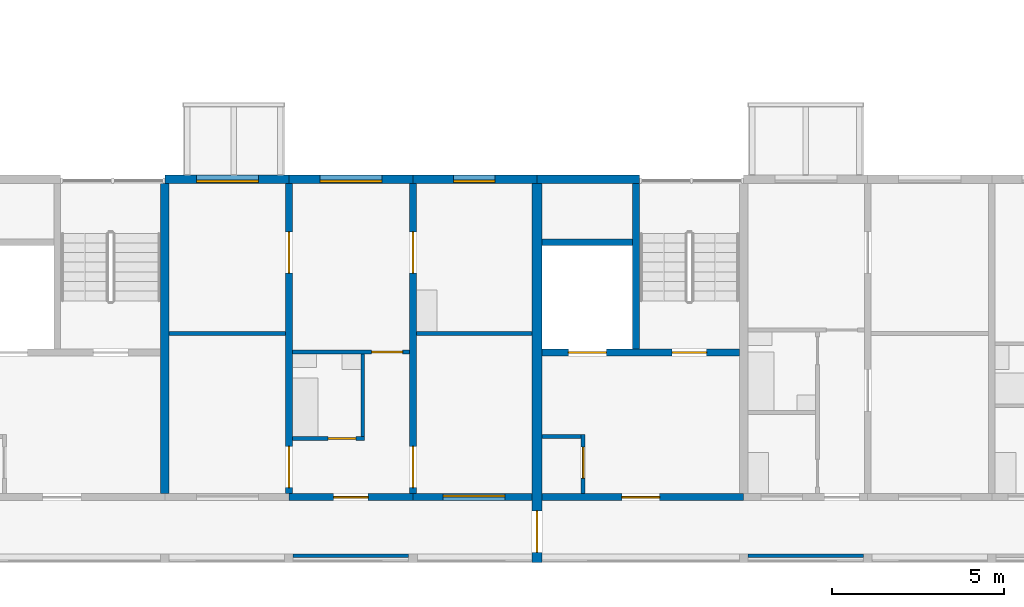
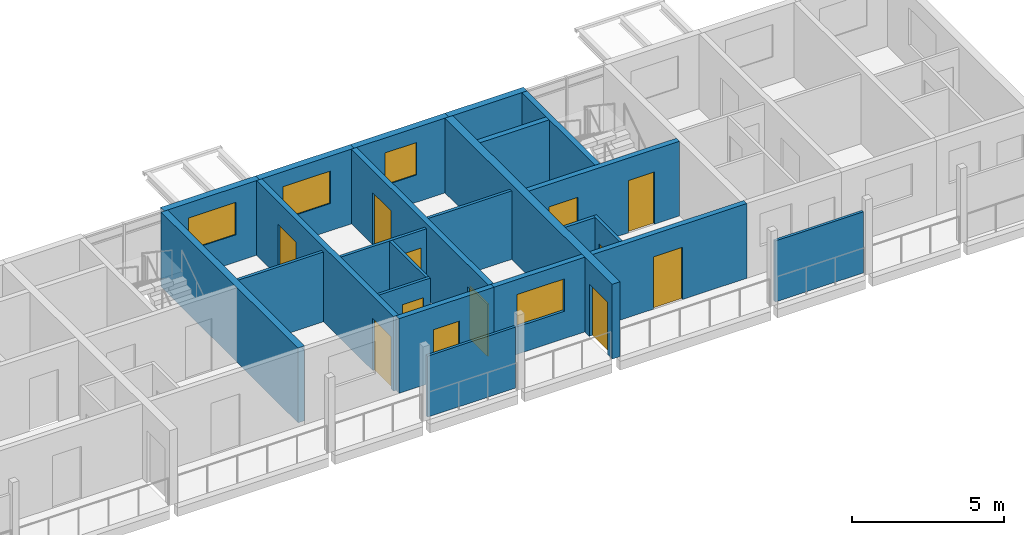
# One storey, part 37 of 64: 23 walls, 12 doors, 4 windows, 16 openings.
"""IFC4 building model written with IfcOpenShell, lengths in metres."""

from ifc_helpers import new_model, si_unit, direction, frame, frame_2d, origin, place, context, subcontext, project, spatial, rectangle, extrude, material, layer, layer_set, type_object, element, fill, save


model = new_model("IFC4")

# Units and contexts
model_context = context("Model", 3, precision=1e-05, world=origin(), true_north=direction((0.0, 1.0)))
body_context = subcontext(model_context, "Body", "Model", "MODEL_VIEW")
ifc_project = project(units=[si_unit("LENGTHUNIT", "METRE"), si_unit("AREAUNIT", "SQUARE_METRE"), si_unit("VOLUMEUNIT", "CUBIC_METRE"), si_unit("PLANEANGLEUNIT", "RADIAN"), si_unit("MASSUNIT", "GRAM", prefix="KILO")], contexts=[model_context])

# Site, building, storey
site_placement = place(None, origin())
site = spatial("IfcSite", under=ifc_project, at=site_placement, CompositionType="ELEMENT")
building_placement = place(site_placement, origin())
building = spatial("IfcBuilding", under=site, at=building_placement, Name="Ridgestep Commons", CompositionType="ELEMENT")
storey_placement = place(building_placement, frame((0.0, 0.0, 33.0)))
storey = spatial("IfcBuildingStorey", under=building, at=storey_placement, Name="L11", CompositionType="ELEMENT", Elevation=33.0)

# Wall
ifc_material_1 = material(Name="Concrete C30/37", Category="concrete")
ifc_layer_1 = layer(ifc_material_1, 0.25)
ifc_layer_set_1 = layer_set([ifc_layer_1], Name="Core cross wall 250")
wall_type_1 = type_object("IfcWallType", Name="Core cross wall 250", PredefinedType="SHEAR", material=ifc_layer_set_1)
wall_1_placement = place(storey_placement, frame((220.0, 13.75, 0.0), z_axis=(0.0, 0.0, 1.0), x_axis=(0.0, 1.0, 0.0)))
element("IfcWall", 1, at=wall_1_placement, inside=storey, type_object=wall_type_1, Name="Cross wall D-11-2200", PredefinedType="SHEAR", context=body_context, shape_type="SweptSolid", body=[
    extrude(rectangle(XDim=9.0, YDim=0.25, at=frame_2d((4.5, 0.0))), origin(), (0.0, 0.0, 1.0), 3.0),
])

# Wall, opening, door
ifc_material_2 = material(Name="Concrete C30/37", Category="concrete")
ifc_layer_2 = layer(ifc_material_2, 0.199951171875)
ifc_layer_set_2 = layer_set([ifc_layer_2], Name="Core south wall 200")
wall_type_2 = type_object("IfcWallType", Name="Core south wall 200", PredefinedType="SHEAR", material=ifc_layer_set_2)
wall_2_placement = place(storey_placement, frame((230.949951171875, 13.64990234375, 0.0), z_axis=(0.0, 0.0, 1.0), x_axis=(1.0, 0.0, 0.0)))
wall_2 = element("IfcWall", 2, at=wall_2_placement, inside=storey, type_object=wall_type_2, Name="Core south wall D6C L11", PredefinedType="SHEAR", context=body_context, shape_type="SweptSolid", body=[
    extrude(rectangle(XDim=5.85009765625, YDim=0.199951171875, at=frame_2d((2.925048828125, 0.0))), origin(), (0.0, 0.0, 1.0), 3.0),
])
opening_1_placement = place(wall_2_placement, frame((2.3125, 0.0, 0.0)))
opening_1 = element("IfcOpeningElement", 3, at=opening_1_placement, cuts=wall_2, Name="Opening D6C/11/1", PredefinedType="OPENING", context=body_context, shape_type="SweptSolid", body=[
    extrude(rectangle(XDim=1.10009765625, YDim=2.10009765625, at=frame_2d((0.550048828125, 1.050048828125))), frame((0.0, 0.10986328125, 0.0), z_axis=(0.0, -1.0, 0.0), x_axis=(1.0, 0.0, 0.0)), (0.0, 0.0, 1.0), 0.219970703125),
])
ifc_material_3 = material(Name="Steel fire door", Category="steel")
door_type_1 = type_object("IfcDoorType", Name="Lobby door 1100 x 2100 FD60", OperationType="NOTDEFINED", PredefinedType="DOOR", material=ifc_material_3)
door_1_placement = place(opening_1_placement, origin())
door_1 = element("IfcDoor", 4, at=door_1_placement, inside=storey, type_object=door_type_1, Name="Lobby door D6C/11/1", OperationType="SINGLE_SWING_LEFT", OverallHeight=2.10009765625, OverallWidth=1.10009765625, PredefinedType="DOOR", context=body_context, shape_type="SweptSolid", body=[
    extrude(rectangle(XDim=1.10009765625, YDim=2.10009765625, at=frame_2d((0.550048828125, 1.050048828125))), frame((0.0, 0.02490234375, 0.0), z_axis=(0.0, -1.0, 0.0), x_axis=(1.0, 0.0, 0.0)), (0.0, 0.0, 1.0), 0.050048828125),
])
fill(opening_1, door_1)

ifc_material_4 = material(Name="Concrete C30/37", Category="concrete")
ifc_layer_3 = layer(ifc_material_4, 0.1201171875)
ifc_layer_set_3 = layer_set([ifc_layer_3], Name="Core wall 120")
wall_type_3 = type_object("IfcWallType", Name="Core wall 120", PredefinedType="SHEAR", material=ifc_layer_set_3)
wall_3_placement = place(storey_placement, frame((232.139892578125, 13.75, 0.0), z_axis=(0.0, 0.0, 1.0), x_axis=(0.0, 1.0, 0.0)))
wall_3 = element("IfcWall", 5, at=wall_3_placement, inside=storey, type_object=wall_type_3, Name="Core riser w wall D6C L11", PredefinedType="SHEAR", context=body_context, shape_type="SweptSolid", body=[
    extrude(rectangle(XDim=1.719970703125, YDim=0.1201171875, at=frame_2d((0.85986328125, 0.0))), origin(), (0.0, 0.0, 1.0), 3.0),
])
opening_2_placement = place(wall_3_placement, frame((0.449951171875, 0.0, 0.0)))
opening_2 = element("IfcOpeningElement", 6, at=opening_2_placement, cuts=wall_3, Name="Opening D6C/11/4", PredefinedType="OPENING", context=body_context, shape_type="SweptSolid", body=[
    extrude(rectangle(XDim=0.89990234375, YDim=2.10009765625, at=frame_2d((0.449951171875, 1.050048828125))), frame((0.0, 0.070068359375, 0.0), z_axis=(0.0, -1.0, 0.0), x_axis=(1.0, 0.0, 0.0)), (0.0, 0.0, 1.0), 0.14013671875),
])
ifc_material_5 = material(Name="Steel fire door", Category="steel")
door_type_2 = type_object("IfcDoorType", Name="Riser door 900 x 2100 FD60", OperationType="NOTDEFINED", PredefinedType="DOOR", material=ifc_material_5)
door_2_placement = place(opening_2_placement, origin())
door_2 = element("IfcDoor", 7, at=door_2_placement, inside=storey, type_object=door_type_2, Name="Riser door D6C/11/4", OperationType="SINGLE_SWING_RIGHT", OverallHeight=2.10009765625, OverallWidth=0.89990234375, PredefinedType="DOOR", context=body_context, shape_type="SweptSolid", body=[
    extrude(rectangle(XDim=0.89990234375, YDim=2.10009765625, at=frame_2d((0.449951171875, 1.050048828125))), frame((0.0, 0.02490234375, 0.0), z_axis=(0.0, -1.0, 0.0), x_axis=(1.0, 0.0, 0.0)), (0.0, 0.0, 1.0), 0.050048828125),
])
fill(opening_2, door_2)

# Wall
wall_4_placement = place(storey_placement, frame((230.949951171875, 15.409912109375, 0.0), z_axis=(0.0, 0.0, 1.0), x_axis=(1.0, 0.0, 0.0)))
element("IfcWall", 8, at=wall_4_placement, inside=storey, type_object=wall_type_3, Name="Core riser n wall D6C L11", PredefinedType="SHEAR", context=body_context, shape_type="SweptSolid", body=[
    extrude(rectangle(XDim=1.130126953125, YDim=0.1201171875, at=frame_2d((0.56494140625, 0.0))), origin(), (0.0, 0.0, 1.0), 3.0),
])

# Wall, openings, doors
ifc_material_6 = material(Name="Concrete C30/37", Category="concrete")
ifc_layer_4 = layer(ifc_material_6, 0.199951171875)
ifc_layer_set_4 = layer_set([ifc_layer_4], Name="Core wall 200")
wall_type_4 = type_object("IfcWallType", Name="Core wall 200", PredefinedType="SHEAR", material=ifc_layer_set_4)
wall_5_placement = place(storey_placement, frame((230.949951171875, 17.85009765625, 0.0), z_axis=(0.0, 0.0, 1.0), x_axis=(1.0, 0.0, 0.0)))
wall_5 = element("IfcWall", 9, at=wall_5_placement, inside=storey, type_object=wall_type_4, Name="Core lobby wall D6C L11", PredefinedType="SHEAR", context=body_context, shape_type="SweptSolid", body=[
    extrude(rectangle(XDim=5.72509765625, YDim=0.199951171875, at=frame_2d((2.862548828125, 0.0))), origin(), (0.0, 0.0, 1.0), 3.0),
])
opening_3_placement = place(wall_5_placement, frame((3.77490234375, 0.0, 0.0)))
opening_3 = element("IfcOpeningElement", 10, at=opening_3_placement, cuts=wall_5, Name="Opening D6C/11/2", PredefinedType="OPENING", context=body_context, shape_type="SweptSolid", body=[
    extrude(rectangle(XDim=1.0, YDim=2.10009765625, at=frame_2d((0.5, 1.050048828125))), frame((0.0, 0.10986328125, 0.0), z_axis=(0.0, -1.0, 0.0), x_axis=(1.0, 0.0, 0.0)), (0.0, 0.0, 1.0), 0.219970703125),
])
opening_4_placement = place(wall_5_placement, frame((0.762451171875, 0.0, 0.0)))
opening_4 = element("IfcOpeningElement", 11, at=opening_4_placement, cuts=wall_5, Name="Opening D6C/11/3", PredefinedType="OPENING", context=body_context, shape_type="SweptSolid", body=[
    extrude(rectangle(XDim=1.10009765625, YDim=2.10009765625, at=frame_2d((0.550048828125, 1.050048828125))), frame((0.0, 0.10986328125, 0.0), z_axis=(0.0, -1.0, 0.0), x_axis=(1.0, 0.0, 0.0)), (0.0, 0.0, 1.0), 0.219970703125),
])
ifc_material_7 = material(Name="Stainless steel", Category="steel")
door_type_3 = type_object("IfcDoorType", Name="Lift landing door 1100 x 2100 FD60", OperationType="DOUBLE_DOOR_SLIDING", PredefinedType="DOOR", material=ifc_material_7)
door_3_placement = place(opening_4_placement, origin())
door_3 = element("IfcDoor", 12, at=door_3_placement, inside=storey, type_object=door_type_3, Name="Landing door LD D6C L11", OperationType="DOUBLE_DOOR_SLIDING", OverallHeight=2.10009765625, OverallWidth=1.10009765625, PredefinedType="DOOR", context=body_context, shape_type="SweptSolid", body=[
    extrude(rectangle(XDim=1.10009765625, YDim=2.10009765625, at=frame_2d((0.550048828125, 1.050048828125))), frame((0.0, 0.02490234375, 0.0), z_axis=(0.0, -1.0, 0.0), x_axis=(1.0, 0.0, 0.0)), (0.0, 0.0, 1.0), 0.050048828125),
])
fill(opening_4, door_3)
ifc_material_8 = material(Name="Steel fire door", Category="steel")
door_type_4 = type_object("IfcDoorType", Name="Stair door 1000 x 2100 FD60", OperationType="NOTDEFINED", PredefinedType="DOOR", material=ifc_material_8)
door_4_placement = place(opening_3_placement, origin())
door_4 = element("IfcDoor", 13, at=door_4_placement, inside=storey, type_object=door_type_4, Name="Stair door D6C/11/2", OperationType="SINGLE_SWING_RIGHT", OverallHeight=2.10009765625, OverallWidth=1.0, PredefinedType="DOOR", context=body_context, shape_type="SweptSolid", body=[
    extrude(rectangle(XDim=1.0, YDim=2.10009765625, at=frame_2d((0.5, 1.050048828125))), frame((0.0, 0.02490234375, 0.0), z_axis=(0.0, -1.0, 0.0), x_axis=(1.0, 0.0, 0.0)), (0.0, 0.0, 1.0), 0.050048828125),
])
fill(opening_3, door_4)

# Walls
wall_6_placement = place(storey_placement, frame((233.675048828125, 17.949951171875, 0.0), z_axis=(0.0, 0.0, 1.0), x_axis=(0.0, 1.0, 0.0)))
element("IfcWall", 14, at=wall_6_placement, inside=storey, type_object=wall_type_4, Name="Core stair wall D6C L11", PredefinedType="SHEAR", context=body_context, shape_type="SweptSolid", body=[
    extrude(rectangle(XDim=4.800048828125, YDim=0.199951171875, at=frame_2d((2.39990234375, 0.0))), origin(), (0.0, 0.0, 1.0), 3.0),
])
wall_7_placement = place(storey_placement, frame((230.949951171875, 21.050048828125, 0.0), z_axis=(0.0, 0.0, 1.0), x_axis=(1.0, 0.0, 0.0)))
element("IfcWall", 15, at=wall_7_placement, inside=storey, type_object=wall_type_4, Name="Core duct wall D6C L11", PredefinedType="SHEAR", context=body_context, shape_type="SweptSolid", body=[
    extrude(rectangle(XDim=2.625, YDim=0.199951171875, at=frame_2d((1.3125, 0.0))), origin(), (0.0, 0.0, 1.0), 3.0),
])

# Wall, openings, doors
ifc_material_9 = material(Name="Precast concrete C40/50", Category="concrete")
ifc_layer_5 = layer(ifc_material_9, 0.199951171875)
ifc_layer_set_5 = layer_set([ifc_layer_5], Name="Cross wall 200")
wall_type_5 = type_object("IfcWallType", Name="Cross wall 200", PredefinedType="SHEAR", material=ifc_layer_set_5)
wall_8_placement = place(storey_placement, frame((223.60009765625, 13.75, 0.0), z_axis=(0.0, 0.0, 1.0), x_axis=(0.0, 1.0, 0.0)))
wall_8 = element("IfcWall", 16, at=wall_8_placement, inside=storey, type_object=wall_type_5, Name="Cross wall D-11-2236", PredefinedType="SHEAR", context=body_context, shape_type="SweptSolid", body=[
    extrude(rectangle(XDim=9.0, YDim=0.199951171875, at=frame_2d((4.5, 0.0))), origin(), (0.0, 0.0, 1.0), 3.0),
])
opening_5_placement = place(wall_8_placement, frame((0.175048828125, 0.0, 0.0)))
opening_5 = element("IfcOpeningElement", 17, at=opening_5_placement, cuts=wall_8, Name="Opening D5-11a/4", PredefinedType="OPENING", context=body_context, shape_type="SweptSolid", body=[
    extrude(rectangle(XDim=1.199951171875, YDim=2.10009765625, at=frame_2d((0.60009765625, 1.050048828125))), frame((0.0, 0.10986328125, 0.0), z_axis=(0.0, -1.0, 0.0), x_axis=(1.0, 0.0, 0.0)), (0.0, 0.0, 1.0), 0.219970703125),
])
opening_6_placement = place(wall_8_placement, frame((6.39990234375, 0.0, 0.0)))
opening_6 = element("IfcOpeningElement", 18, at=opening_6_placement, cuts=wall_8, Name="Opening D5-11a/5", PredefinedType="OPENING", context=body_context, shape_type="SweptSolid", body=[
    extrude(rectangle(XDim=1.199951171875, YDim=2.10009765625, at=frame_2d((0.60009765625, 1.050048828125))), frame((0.0, 0.10986328125, 0.0), z_axis=(0.0, -1.0, 0.0), x_axis=(1.0, 0.0, 0.0)), (0.0, 0.0, 1.0), 0.219970703125),
])
ifc_material_10 = material(Name="Timber door leaf", Category="wood")
door_type_5 = type_object("IfcDoorType", Name="Double door 1200 x 2100", OperationType="DOUBLE_DOOR_SINGLE_SWING", PredefinedType="DOOR", material=ifc_material_10)
door_5_placement = place(opening_5_placement, origin())
door_5 = element("IfcDoor", 19, at=door_5_placement, inside=storey, type_object=door_type_5, Name="Double door D5-11a/4", OperationType="DOUBLE_DOOR_SINGLE_SWING", OverallHeight=2.10009765625, OverallWidth=1.199951171875, PredefinedType="DOOR", context=body_context, shape_type="SweptSolid", body=[
    extrude(rectangle(XDim=1.199951171875, YDim=2.10009765625, at=frame_2d((0.60009765625, 1.050048828125))), frame((0.0, 0.02490234375, 0.0), z_axis=(0.0, -1.0, 0.0), x_axis=(1.0, 0.0, 0.0)), (0.0, 0.0, 1.0), 0.050048828125),
])
fill(opening_5, door_5)
door_6_placement = place(opening_6_placement, origin())
door_6 = element("IfcDoor", 20, at=door_6_placement, inside=storey, type_object=door_type_5, Name="Double door D5-11a/5", OperationType="DOUBLE_DOOR_SINGLE_SWING", OverallHeight=2.10009765625, OverallWidth=1.199951171875, PredefinedType="DOOR", context=body_context, shape_type="SweptSolid", body=[
    extrude(rectangle(XDim=1.199951171875, YDim=2.10009765625, at=frame_2d((0.60009765625, 1.050048828125))), frame((0.0, 0.02490234375, 0.0), z_axis=(0.0, -1.0, 0.0), x_axis=(1.0, 0.0, 0.0)), (0.0, 0.0, 1.0), 0.050048828125),
])
fill(opening_6, door_6)

wall_9_placement = place(storey_placement, frame((227.199951171875, 13.75, 0.0), z_axis=(0.0, 0.0, 1.0), x_axis=(0.0, 1.0, 0.0)))
wall_9 = element("IfcWall", 21, at=wall_9_placement, inside=storey, type_object=wall_type_5, Name="Cross wall D-11-2272", PredefinedType="SHEAR", context=body_context, shape_type="SweptSolid", body=[
    extrude(rectangle(XDim=9.0, YDim=0.199951171875, at=frame_2d((4.5, 0.0))), origin(), (0.0, 0.0, 1.0), 3.0),
])
opening_7_placement = place(wall_9_placement, frame((0.175048828125, 0.0, 0.0)))
opening_7 = element("IfcOpeningElement", 22, at=opening_7_placement, cuts=wall_9, Name="Opening D5-11a/6", PredefinedType="OPENING", context=body_context, shape_type="SweptSolid", body=[
    extrude(rectangle(XDim=1.199951171875, YDim=2.10009765625, at=frame_2d((0.60009765625, 1.050048828125))), frame((0.0, 0.10986328125, 0.0), z_axis=(0.0, -1.0, 0.0), x_axis=(1.0, 0.0, 0.0)), (0.0, 0.0, 1.0), 0.219970703125),
])
opening_8_placement = place(wall_9_placement, frame((6.39990234375, 0.0, 0.0)))
opening_8 = element("IfcOpeningElement", 23, at=opening_8_placement, cuts=wall_9, Name="Opening D5-11a/7", PredefinedType="OPENING", context=body_context, shape_type="SweptSolid", body=[
    extrude(rectangle(XDim=1.199951171875, YDim=2.10009765625, at=frame_2d((0.60009765625, 1.050048828125))), frame((0.0, 0.10986328125, 0.0), z_axis=(0.0, -1.0, 0.0), x_axis=(1.0, 0.0, 0.0)), (0.0, 0.0, 1.0), 0.219970703125),
])
door_7_placement = place(opening_7_placement, origin())
door_7 = element("IfcDoor", 24, at=door_7_placement, inside=storey, type_object=door_type_5, Name="Double door D5-11a/6", OperationType="DOUBLE_DOOR_SINGLE_SWING", OverallHeight=2.10009765625, OverallWidth=1.199951171875, PredefinedType="DOOR", context=body_context, shape_type="SweptSolid", body=[
    extrude(rectangle(XDim=1.199951171875, YDim=2.10009765625, at=frame_2d((0.60009765625, 1.050048828125))), frame((0.0, 0.02490234375, 0.0), z_axis=(0.0, -1.0, 0.0), x_axis=(1.0, 0.0, 0.0)), (0.0, 0.0, 1.0), 0.050048828125),
])
fill(opening_7, door_7)
door_8_placement = place(opening_8_placement, origin())
door_8 = element("IfcDoor", 25, at=door_8_placement, inside=storey, type_object=door_type_5, Name="Double door D5-11a/7", OperationType="DOUBLE_DOOR_SINGLE_SWING", OverallHeight=2.10009765625, OverallWidth=1.199951171875, PredefinedType="DOOR", context=body_context, shape_type="SweptSolid", body=[
    extrude(rectangle(XDim=1.199951171875, YDim=2.10009765625, at=frame_2d((0.60009765625, 1.050048828125))), frame((0.0, 0.02490234375, 0.0), z_axis=(0.0, -1.0, 0.0), x_axis=(1.0, 0.0, 0.0)), (0.0, 0.0, 1.0), 0.050048828125),
])
fill(opening_8, door_8)

# Wall, opening, door
ifc_material_11 = material(Name="Precast concrete C40/50", Category="concrete")
ifc_layer_6 = layer(ifc_material_11, 0.300048828125)
ifc_layer_set_6 = layer_set([ifc_layer_6], Name="Division wall 300")
wall_type_6 = type_object("IfcWallType", Name="Division wall 300", PredefinedType="SHEAR", material=ifc_layer_set_6)
wall_10_placement = place(storey_placement, frame((230.800048828125, 11.75, 0.0), z_axis=(0.0, 0.0, 1.0), x_axis=(0.0, 1.0, 0.0)))
wall_10 = element("IfcWall", 26, at=wall_10_placement, inside=storey, type_object=wall_type_6, Name="Cross wall D-11-2308", PredefinedType="SHEAR", context=body_context, shape_type="SweptSolid", body=[
    extrude(rectangle(XDim=11.0, YDim=0.300048828125, at=frame_2d((5.5, 0.0))), origin(), (0.0, 0.0, 1.0), 3.0),
])
opening_9_placement = place(wall_10_placement, frame((0.300048828125, 0.0, 0.0)))
opening_9 = element("IfcOpeningElement", 27, at=opening_9_placement, cuts=wall_10, Name="Opening D/11/G2308", PredefinedType="OPENING", context=body_context, shape_type="SweptSolid", body=[
    extrude(rectangle(XDim=1.199951171875, YDim=2.10009765625, at=frame_2d((0.60009765625, 1.050048828125))), frame((0.0, 0.159912109375, 0.0), z_axis=(0.0, -1.0, 0.0), x_axis=(1.0, 0.0, 0.0)), (0.0, 0.0, 1.0), 0.320068359375),
])
ifc_material_12 = material(Name="Steel fire door", Category="steel")
door_type_6 = type_object("IfcDoorType", Name="Division fire door 1200 x 2100 EI 240", OperationType="DOUBLE_DOOR_SINGLE_SWING", PredefinedType="DOOR", material=ifc_material_12)
door_9_placement = place(opening_9_placement, origin())
door_9 = element("IfcDoor", 28, at=door_9_placement, inside=storey, type_object=door_type_6, Name="Division fire door D/11/G2308", OperationType="DOUBLE_DOOR_SINGLE_SWING", OverallHeight=2.10009765625, OverallWidth=1.199951171875, PredefinedType="DOOR", context=body_context, shape_type="SweptSolid", body=[
    extrude(rectangle(XDim=1.199951171875, YDim=2.10009765625, at=frame_2d((0.60009765625, 1.050048828125))), frame((0.0, 0.02490234375, 0.0), z_axis=(0.0, -1.0, 0.0), x_axis=(1.0, 0.0, 0.0)), (0.0, 0.0, 1.0), 0.050048828125),
])
fill(opening_9, door_9)

# Wall, opening, window
ifc_material_13 = material(Name="Precast concrete C40/50", Category="concrete")
ifc_layer_7 = layer(ifc_material_13, 0.25)
ifc_layer_set_7 = layer_set([ifc_layer_7], Name="North facade panel 250")
wall_type_7 = type_object("IfcWallType", Name="North facade panel 250", PredefinedType="SOLIDWALL", material=ifc_layer_set_7)
wall_11_placement = place(storey_placement, frame((220.0, 22.875, 0.0), z_axis=(0.0, 0.0, 1.0), x_axis=(1.0, 0.0, 0.0)))
wall_11 = element("IfcWall", 29, at=wall_11_placement, inside=storey, type_object=wall_type_7, Name="North panel D5T3 L11", PredefinedType="SOLIDWALL", context=body_context, shape_type="SweptSolid", body=[
    extrude(rectangle(XDim=3.60009765625, YDim=0.25, at=frame_2d((1.800048828125, 0.0))), origin(), (0.0, 0.0, 1.0), 3.0),
])
opening_10_placement = place(wall_11_placement, frame((0.91259765625, 0.0, 1.10009765625)))
opening_10 = element("IfcOpeningElement", 30, at=opening_10_placement, cuts=wall_11, Name="Opening W18", PredefinedType="OPENING", context=body_context, shape_type="SweptSolid", body=[
    extrude(rectangle(XDim=1.800048828125, YDim=1.300048828125, at=frame_2d((0.89990234375, 0.64990234375))), frame((0.0, 0.135009765625, 0.0), z_axis=(0.0, -1.0, 0.0), x_axis=(1.0, 0.0, 0.0)), (0.0, 0.0, 1.0), 0.27001953125),
])
ifc_material_14 = material(Name="Aluminium 6063-T6 and glass", Category="aluminium")
window_type_1 = type_object("IfcWindowType", Name="Flat window 1800 x 1300", PartitioningType="DOUBLE_PANEL_VERTICAL", PredefinedType="WINDOW", material=ifc_material_14)
window_1_placement = place(opening_10_placement, origin())
window_1 = element("IfcWindow", 31, at=window_1_placement, inside=storey, type_object=window_type_1, Name="Window D5-11a 2", OverallHeight=1.300048828125, OverallWidth=1.800048828125, PartitioningType="SINGLE_PANEL", PredefinedType="WINDOW", context=body_context, shape_type="SweptSolid", body=[
    extrude(rectangle(XDim=1.800048828125, YDim=1.300048828125, at=frame_2d((0.89990234375, 0.64990234375))), frame((0.0, -0.02490234375, 0.0), z_axis=(0.0, -1.0, 0.0), x_axis=(1.0, 0.0, 0.0)), (0.0, 0.0, 1.0), 0.06005859375),
])
fill(opening_10, window_1)

wall_12_placement = place(storey_placement, frame((223.60009765625, 22.875, 0.0), z_axis=(0.0, 0.0, 1.0), x_axis=(1.0, 0.0, 0.0)))
wall_12 = element("IfcWall", 32, at=wall_12_placement, inside=storey, type_object=wall_type_7, Name="North panel D5T2 L11", PredefinedType="SOLIDWALL", context=body_context, shape_type="SweptSolid", body=[
    extrude(rectangle(XDim=3.599853515625, YDim=0.25, at=frame_2d((1.7998046875, 0.0))), origin(), (0.0, 0.0, 1.0), 3.0),
])
opening_11_placement = place(wall_12_placement, frame((0.89990234375, 0.0, 1.10009765625)))
opening_11 = element("IfcOpeningElement", 33, at=opening_11_placement, cuts=wall_12, Name="Opening W18", PredefinedType="OPENING", context=body_context, shape_type="SweptSolid", body=[
    extrude(rectangle(XDim=1.800048828125, YDim=1.300048828125, at=frame_2d((0.89990234375, 0.64990234375))), frame((0.0, 0.135009765625, 0.0), z_axis=(0.0, -1.0, 0.0), x_axis=(1.0, 0.0, 0.0)), (0.0, 0.0, 1.0), 0.27001953125),
])
window_2_placement = place(opening_11_placement, origin())
window_2 = element("IfcWindow", 34, at=window_2_placement, inside=storey, type_object=window_type_1, Name="Window D5-11a 5", OverallHeight=1.300048828125, OverallWidth=1.800048828125, PartitioningType="SINGLE_PANEL", PredefinedType="WINDOW", context=body_context, shape_type="SweptSolid", body=[
    extrude(rectangle(XDim=1.800048828125, YDim=1.300048828125, at=frame_2d((0.89990234375, 0.64990234375))), frame((0.0, -0.02490234375, 0.0), z_axis=(0.0, -1.0, 0.0), x_axis=(1.0, 0.0, 0.0)), (0.0, 0.0, 1.0), 0.06005859375),
])
fill(opening_11, window_2)

wall_13_placement = place(storey_placement, frame((227.199951171875, 22.875, 0.0), z_axis=(0.0, 0.0, 1.0), x_axis=(1.0, 0.0, 0.0)))
wall_13 = element("IfcWall", 35, at=wall_13_placement, inside=storey, type_object=wall_type_7, Name="North panel D5T1 L11", PredefinedType="SOLIDWALL", context=body_context, shape_type="SweptSolid", body=[
    extrude(rectangle(XDim=3.60009765625, YDim=0.25, at=frame_2d((1.800048828125, 0.0))), origin(), (0.0, 0.0, 1.0), 3.0),
])
opening_12_placement = place(wall_13_placement, frame((1.175048828125, 0.0, 1.10009765625)))
opening_12 = element("IfcOpeningElement", 36, at=opening_12_placement, cuts=wall_13, Name="Opening W08", PredefinedType="OPENING", context=body_context, shape_type="SweptSolid", body=[
    extrude(rectangle(XDim=1.199951171875, YDim=1.300048828125, at=frame_2d((0.60009765625, 0.64990234375))), frame((0.0, 0.135009765625, 0.0), z_axis=(0.0, -1.0, 0.0), x_axis=(1.0, 0.0, 0.0)), (0.0, 0.0, 1.0), 0.27001953125),
])
ifc_material_15 = material(Name="Aluminium 6063-T6 and glass", Category="aluminium")
window_type_2 = type_object("IfcWindowType", Name="Flat window 1200 x 1300", PartitioningType="SINGLE_PANEL", PredefinedType="WINDOW", material=ifc_material_15)
window_3_placement = place(opening_12_placement, origin())
window_3 = element("IfcWindow", 37, at=window_3_placement, inside=storey, type_object=window_type_2, Name="Window D5-11a 4", OverallHeight=1.300048828125, OverallWidth=1.199951171875, PartitioningType="SINGLE_PANEL", PredefinedType="WINDOW", context=body_context, shape_type="SweptSolid", body=[
    extrude(rectangle(XDim=1.199951171875, YDim=1.300048828125, at=frame_2d((0.60009765625, 0.64990234375))), frame((0.0, -0.02490234375, 0.0), z_axis=(0.0, -1.0, 0.0), x_axis=(1.0, 0.0, 0.0)), (0.0, 0.0, 1.0), 0.06005859375),
])
fill(opening_12, window_3)

# Wall
wall_14_placement = place(storey_placement, frame((230.800048828125, 22.875, 0.0), z_axis=(0.0, 0.0, 1.0), x_axis=(1.0, 0.0, 0.0)))
element("IfcWall", 38, at=wall_14_placement, inside=storey, type_object=wall_type_7, Name="North panel D6C L11", PredefinedType="SOLIDWALL", context=body_context, shape_type="SweptSolid", body=[
    extrude(rectangle(XDim=2.974853515625, YDim=0.25, at=frame_2d((1.4873046875, 0.0))), origin(), (0.0, 0.0, 1.0), 3.0),
])

# Wall, opening, door
ifc_material_16 = material(Name="Common brick 110 mm", Category="masonry")
ifc_layer_8 = layer(ifc_material_16, 0.110107421875)
ifc_layer_set_8 = layer_set([ifc_layer_8], Name="Partition 110")
wall_type_8 = type_object("IfcWallType", Name="Partition 110", PredefinedType="PARTITIONING", material=ifc_layer_set_8)
wall_15_placement = place(storey_placement, frame((223.699951171875, 15.35498046875, 0.0), z_axis=(0.0, 0.0, 1.0), x_axis=(1.0, 0.0, 0.0)))
wall_15 = element("IfcWall", 39, at=wall_15_placement, inside=storey, type_object=wall_type_8, Name="Partition D5-11a", PredefinedType="PARTITIONING", context=body_context, shape_type="SweptSolid", body=[
    extrude(rectangle(XDim=2.10009765625, YDim=0.110107421875, at=frame_2d((1.050048828125, 0.0))), origin(), (0.0, 0.0, 1.0), 2.800048828125),
])
opening_13_placement = place(wall_15_placement, frame((1.0400390625, 0.0, 0.0)))
opening_13 = element("IfcOpeningElement", 40, at=opening_13_placement, cuts=wall_15, Name="Opening D5-11a/2", PredefinedType="OPENING", context=body_context, shape_type="SweptSolid", body=[
    extrude(rectangle(XDim=0.800048828125, YDim=2.10009765625, at=frame_2d((0.39990234375, 1.050048828125))), frame((0.0, 0.06494140625, 0.0), z_axis=(0.0, -1.0, 0.0), x_axis=(1.0, 0.0, 0.0)), (0.0, 0.0, 1.0), 0.130126953125),
])
ifc_material_17 = material(Name="Timber door leaf", Category="wood")
door_type_7 = type_object("IfcDoorType", Name="Internal door 800 x 2100", OperationType="NOTDEFINED", PredefinedType="DOOR", material=ifc_material_17)
door_10_placement = place(opening_13_placement, origin())
door_10 = element("IfcDoor", 41, at=door_10_placement, inside=storey, type_object=door_type_7, Name="Internal door D5-11a/2", OperationType="SINGLE_SWING_RIGHT", OverallHeight=2.10009765625, OverallWidth=0.800048828125, PredefinedType="DOOR", context=body_context, shape_type="SweptSolid", body=[
    extrude(rectangle(XDim=0.800048828125, YDim=2.10009765625, at=frame_2d((0.39990234375, 1.050048828125))), frame((0.0, 0.02490234375, 0.0), z_axis=(0.0, -1.0, 0.0), x_axis=(1.0, 0.0, 0.0)), (0.0, 0.0, 1.0), 0.050048828125),
])
fill(opening_13, door_10)

# Wall
wall_16_placement = place(storey_placement, frame((225.7451171875, 15.409912109375, 0.0), z_axis=(0.0, 0.0, 1.0), x_axis=(0.0, 1.0, 0.0)))
element("IfcWall", 42, at=wall_16_placement, inside=storey, type_object=wall_type_8, Name="Partition D5-11a", PredefinedType="PARTITIONING", context=body_context, shape_type="SweptSolid", body=[
    extrude(rectangle(XDim=2.400146484375, YDim=0.110107421875, at=frame_2d((1.2001953125, 0.0))), origin(), (0.0, 0.0, 1.0), 2.800048828125),
])

# Wall, opening, door
wall_17_placement = place(storey_placement, frame((223.699951171875, 17.864990234375, 0.0), z_axis=(0.0, 0.0, 1.0), x_axis=(1.0, 0.0, 0.0)))
wall_17 = element("IfcWall", 43, at=wall_17_placement, inside=storey, type_object=wall_type_8, Name="Partition D5-11a", PredefinedType="PARTITIONING", context=body_context, shape_type="SweptSolid", body=[
    extrude(rectangle(XDim=3.400146484375, YDim=0.110107421875, at=frame_2d((1.7001953125, 0.0))), origin(), (0.0, 0.0, 1.0), 2.800048828125),
])
opening_14_placement = place(wall_17_placement, frame((2.300048828125, 0.0, 0.0)))
opening_14 = element("IfcOpeningElement", 44, at=opening_14_placement, cuts=wall_17, Name="Opening D5-11a/3", PredefinedType="OPENING", context=body_context, shape_type="SweptSolid", body=[
    extrude(rectangle(XDim=0.89990234375, YDim=2.10009765625, at=frame_2d((0.449951171875, 1.050048828125))), frame((0.0, 0.06494140625, 0.0), z_axis=(0.0, -1.0, 0.0), x_axis=(1.0, 0.0, 0.0)), (0.0, 0.0, 1.0), 0.130126953125),
])
ifc_material_18 = material(Name="Timber door leaf", Category="wood")
door_type_8 = type_object("IfcDoorType", Name="Internal door 900 x 2100", OperationType="NOTDEFINED", PredefinedType="DOOR", material=ifc_material_18)
door_11_placement = place(opening_14_placement, origin())
door_11 = element("IfcDoor", 45, at=door_11_placement, inside=storey, type_object=door_type_8, Name="Internal door D5-11a/3", OperationType="SINGLE_SWING_LEFT", OverallHeight=2.10009765625, OverallWidth=0.89990234375, PredefinedType="DOOR", context=body_context, shape_type="SweptSolid", body=[
    extrude(rectangle(XDim=0.89990234375, YDim=2.10009765625, at=frame_2d((0.449951171875, 1.050048828125))), frame((0.0, 0.02490234375, 0.0), z_axis=(0.0, -1.0, 0.0), x_axis=(1.0, 0.0, 0.0)), (0.0, 0.0, 1.0), 0.050048828125),
])
fill(opening_14, door_11)

# Walls
wall_18_placement = place(storey_placement, frame((220.125, 18.405029296875, 0.0), z_axis=(0.0, 0.0, 1.0), x_axis=(1.0, 0.0, 0.0)))
element("IfcWall", 46, at=wall_18_placement, inside=storey, type_object=wall_type_8, Name="Partition D5-11a", PredefinedType="PARTITIONING", context=body_context, shape_type="SweptSolid", body=[
    extrude(rectangle(XDim=3.375, YDim=0.110107421875, at=frame_2d((1.6875, 0.0))), origin(), (0.0, 0.0, 1.0), 2.800048828125),
])
wall_19_placement = place(storey_placement, frame((227.300048828125, 18.405029296875, 0.0), z_axis=(0.0, 0.0, 1.0), x_axis=(1.0, 0.0, 0.0)))
element("IfcWall", 47, at=wall_19_placement, inside=storey, type_object=wall_type_8, Name="Partition D5-11a", PredefinedType="PARTITIONING", context=body_context, shape_type="SweptSolid", body=[
    extrude(rectangle(XDim=3.349853515625, YDim=0.110107421875, at=frame_2d((1.6748046875, 0.0))), origin(), (0.0, 0.0, 1.0), 2.75),
])
ifc_material_19 = material(Name="Precast concrete C30/37", Category="concrete")
ifc_layer_9 = layer(ifc_material_19, 0.10009765625)
ifc_layer_set_9 = layer_set([ifc_layer_9], Name="Perforated gallery screen 3350 x 2450 x 100")
wall_type_9 = type_object("IfcWallType", Name="Perforated gallery screen 3350 x 2450 x 100", PredefinedType="SOLIDWALL", material=ifc_layer_set_9)
for number, where, z_axis, x_axis, name in (
    (48, (223.72509765625, 11.949951171875, 0.0), (0.0, 0.0, 1.0), (1.0, 0.0, 0.0), "Gallery screen D5T2 11"),
    (49, (236.925048828125, 11.949951171875, 0.0), (0.0, 0.0, 1.0), (1.0, 0.0, 0.0), "Gallery screen D6T3 11"),
):
    element("IfcWall", number, at=place(storey_placement, frame(where, z_axis=z_axis, x_axis=x_axis)), inside=storey, type_object=wall_type_9, Name=name, PredefinedType="SOLIDWALL", context=body_context, shape_type="SweptSolid", body=[
        extrude(rectangle(XDim=3.349853515625, YDim=0.10009765625, at=frame_2d((1.6748046875, 0.0))), origin(), (0.0, 0.0, 1.0), 2.449951171875),
    ])

# Wall, opening, door
ifc_material_20 = material(Name="Precast concrete C40/50", Category="concrete")
ifc_layer_10 = layer(ifc_material_20, 0.199951171875)
ifc_layer_set_10 = layer_set([ifc_layer_10], Name="South facade panel 200")
wall_type_10 = type_object("IfcWallType", Name="South facade panel 200", PredefinedType="SOLIDWALL", material=ifc_layer_set_10)
wall_20_placement = place(storey_placement, frame((223.60009765625, 13.64990234375, 0.0), z_axis=(0.0, 0.0, 1.0), x_axis=(1.0, 0.0, 0.0)))
wall_20 = element("IfcWall", 50, at=wall_20_placement, inside=storey, type_object=wall_type_10, Name="South panel D5T2 L11", PredefinedType="SOLIDWALL", context=body_context, shape_type="SweptSolid", body=[
    extrude(rectangle(XDim=3.599853515625, YDim=0.199951171875, at=frame_2d((1.7998046875, 0.0))), origin(), (0.0, 0.0, 1.0), 3.0),
])
opening_15_placement = place(wall_20_placement, frame((1.300048828125, 0.0, 0.0)))
opening_15 = element("IfcOpeningElement", 51, at=opening_15_placement, cuts=wall_20, Name="Opening D5-11a/1", PredefinedType="OPENING", context=body_context, shape_type="SweptSolid", body=[
    extrude(rectangle(XDim=1.0, YDim=2.10009765625, at=frame_2d((0.5, 1.050048828125))), frame((0.0, 0.10986328125, 0.0), z_axis=(0.0, -1.0, 0.0), x_axis=(1.0, 0.0, 0.0)), (0.0, 0.0, 1.0), 0.219970703125),
])
ifc_material_21 = material(Name="Timber door leaf", Category="wood")
door_type_9 = type_object("IfcDoorType", Name="Flat entrance door 1000 x 2100 FD30S", OperationType="NOTDEFINED", PredefinedType="DOOR", material=ifc_material_21)
door_12_placement = place(opening_15_placement, origin())
door_12 = element("IfcDoor", 52, at=door_12_placement, inside=storey, type_object=door_type_9, Name="Flat entrance door D5-11a/1", OperationType="SINGLE_SWING_RIGHT", OverallHeight=2.10009765625, OverallWidth=1.0, PredefinedType="DOOR", context=body_context, shape_type="SweptSolid", body=[
    extrude(rectangle(XDim=1.0, YDim=2.10009765625, at=frame_2d((0.5, 1.050048828125))), frame((0.0, 0.02490234375, 0.0), z_axis=(0.0, -1.0, 0.0), x_axis=(1.0, 0.0, 0.0)), (0.0, 0.0, 1.0), 0.050048828125),
])
fill(opening_15, door_12)

# Wall, opening, window
wall_21_placement = place(storey_placement, frame((227.199951171875, 13.64990234375, 0.0), z_axis=(0.0, 0.0, 1.0), x_axis=(1.0, 0.0, 0.0)))
wall_21 = element("IfcWall", 53, at=wall_21_placement, inside=storey, type_object=wall_type_10, Name="South panel D5T1 L11", PredefinedType="SOLIDWALL", context=body_context, shape_type="SweptSolid", body=[
    extrude(rectangle(XDim=3.449951171875, YDim=0.199951171875, at=frame_2d((1.72509765625, 0.0))), origin(), (0.0, 0.0, 1.0), 3.0),
])
opening_16_placement = place(wall_21_placement, frame((0.875, 0.0, 1.10009765625)))
opening_16 = element("IfcOpeningElement", 54, at=opening_16_placement, cuts=wall_21, Name="Opening W18", PredefinedType="OPENING", context=body_context, shape_type="SweptSolid", body=[
    extrude(rectangle(XDim=1.800048828125, YDim=1.300048828125, at=frame_2d((0.89990234375, 0.64990234375))), frame((0.0, 0.10986328125, 0.0), z_axis=(0.0, -1.0, 0.0), x_axis=(1.0, 0.0, 0.0)), (0.0, 0.0, 1.0), 0.219970703125),
])
window_4_placement = place(opening_16_placement, origin())
window_4 = element("IfcWindow", 55, at=window_4_placement, inside=storey, type_object=window_type_1, Name="Window D5-11a 3", OverallHeight=1.300048828125, OverallWidth=1.800048828125, PartitioningType="SINGLE_PANEL", PredefinedType="WINDOW", context=body_context, shape_type="SweptSolid", body=[
    extrude(rectangle(XDim=1.800048828125, YDim=1.300048828125, at=frame_2d((0.89990234375, 0.64990234375))), frame((0.0, 0.06005859375, 0.0), z_axis=(0.0, -1.0, 0.0), x_axis=(1.0, 0.0, 0.0)), (0.0, 0.0, 1.0), 0.06005859375),
])
fill(opening_16, window_4)

save(model, "model.ifc")
